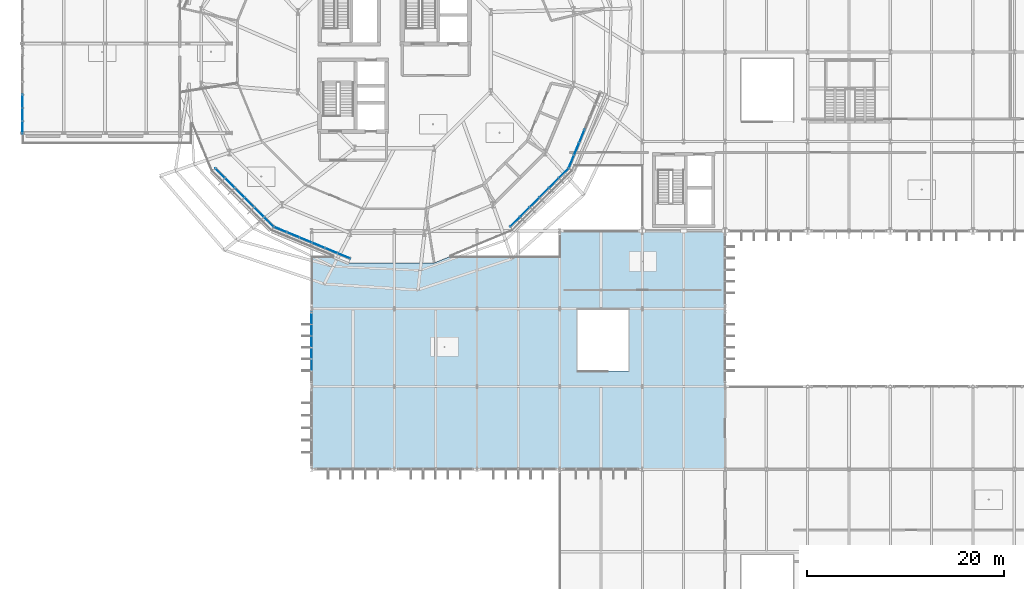
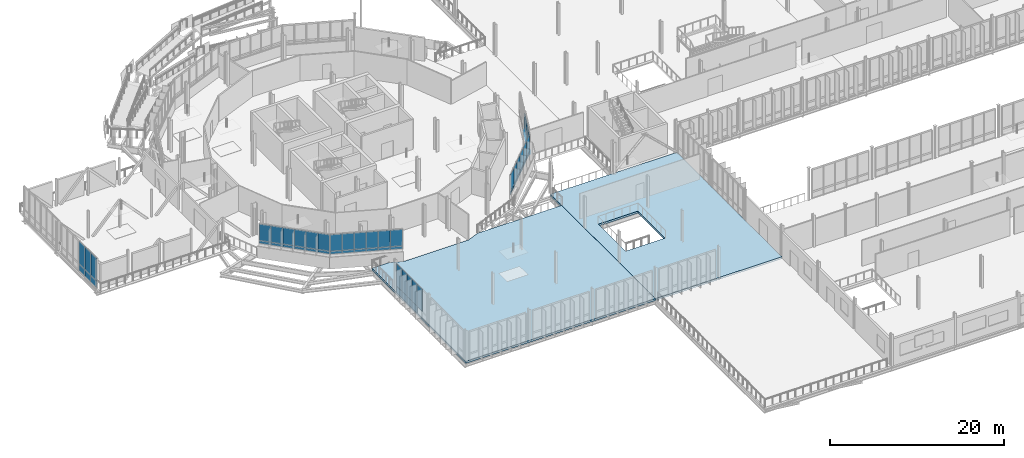
# One storey, part 86 of 139: 57 plates, 2 slabs, 6 elements without a shape of their own.
"""IFC4 building model written with IfcOpenShell, lengths in metres."""

from ifc_helpers import new_model, si_unit, derived_unit, direction, frame, origin, origin_2d, place, context, subcontext, project, spatial, polyline, rectangle, outline, extrude, material, layer, layer_set, type_object, element, aggregate, save


model = new_model("IFC4")

# Units and contexts
model_context = context("Model", 3, precision=1e-05, world=origin(), true_north=direction((0.0, 1.0)))
body_context = subcontext(model_context, "Body", "Model", "MODEL_VIEW")
ifc_project = project(units=[si_unit("LENGTHUNIT", "METRE"), si_unit("AREAUNIT", "SQUARE_METRE"), si_unit("VOLUMEUNIT", "CUBIC_METRE"), si_unit("PLANEANGLEUNIT", "RADIAN"), si_unit("MASSUNIT", "GRAM", prefix="KILO"), derived_unit("THERMALTRANSMITTANCEUNIT", [(si_unit("MASSUNIT", "GRAM", prefix="KILO"), 1), (si_unit("TIMEUNIT", "SECOND"), -3), (si_unit("THERMODYNAMICTEMPERATUREUNIT", "KELVIN"), -1)])], contexts=[model_context])

# Site, building, storey
site_placement = place(None, origin())
site = spatial("IfcSite", under=ifc_project, at=site_placement, CompositionType="ELEMENT")
building_placement = place(site_placement, origin())
building = spatial("IfcBuilding", under=site, at=building_placement, Name="Makaiwela Harbour Ferry Terminal", CompositionType="ELEMENT")
storey_placement = place(building_placement, frame((0.0, 0.0, 5.10009765625)))
storey = spatial("IfcBuildingStorey", under=building, at=storey_placement, Name="L01", CompositionType="ELEMENT", Elevation=5.10009765625)

# Curtain wall, plates
ifc_material_1 = material(Name="Marine anodised aluminium 6063-T6", Category="aluminium")
ifc_layer_1 = layer(ifc_material_1, 0.199951171875)
ifc_layer_set_1 = layer_set([ifc_layer_1], Name="Marine anodised aluminium 6063-T6")
curtain_wall_type_1 = type_object("IfcCurtainWallType", Name="ENV-CW-03", PredefinedType="USERDEFINED", material=ifc_layer_set_1)
curtain_wall_1_placement = place(storey_placement, origin())
curtain_wall_1 = element("IfcCurtainWall", 1, at=curtain_wall_1_placement, inside=storey, type_object=curtain_wall_type_1, Name="Unitised Curtain Wall CWA-016", ObjectType="UNITIZED CURTAIN WALL", PredefinedType="USERDEFINED")
ifc_material_2 = material(Name="Laminated hurricane-impact low-E insulated glazing", Category="glass")
ifc_layer_2 = layer(ifc_material_2, 0.031982421875)
ifc_layer_set_2 = layer_set([ifc_layer_2], Name="Laminated hurricane-impact low-E insulated glazing")
plate_type_1 = type_object("IfcPlateType", Name="CW-PNL-G05", PredefinedType="CURTAIN_PANEL", material=ifc_layer_set_2)
plate_1_placement = place(storey_placement, frame((20.1044921875, 55.265380859375, 1.89990234375), z_axis=(0.0, 0.0, 1.0), x_axis=(0.707106781187, -0.707106781187, 0.0)))
plate_1 = element("IfcPlate", 2, at=plate_1_placement, type_object=plate_type_1, Name="Glazed Vision Panel CWA-016-1G", PredefinedType="CURTAIN_PANEL", context=body_context, shape_type="SweptSolid", body=[
    extrude(rectangle(XDim=1.394775390625, YDim=0.031982421875, at=origin_2d()), origin(), (0.0, 0.0, 1.0), 2.340087890625),
])
plate_2_placement = place(storey_placement, frame((21.0908203125, 54.279296875, 1.89990234375), z_axis=(0.0, 0.0, 1.0), x_axis=(0.707106781187, -0.707106781187, 0.0)))
plate_2 = element("IfcPlate", 3, at=plate_2_placement, type_object=plate_type_1, Name="Glazed Vision Panel CWA-016-2G", PredefinedType="CURTAIN_PANEL", context=body_context, shape_type="SweptSolid", body=[
    extrude(rectangle(XDim=1.394775390625, YDim=0.031982421875, at=origin_2d()), origin(), (0.0, 0.0, 1.0), 2.340087890625),
])
plate_3_placement = place(storey_placement, frame((22.076904296875, 53.293212890625, 1.89990234375), z_axis=(0.0, 0.0, 1.0), x_axis=(0.707106781187, -0.707106781187, 0.0)))
plate_3 = element("IfcPlate", 4, at=plate_3_placement, type_object=plate_type_1, Name="Glazed Vision Panel CWA-016-3G", PredefinedType="CURTAIN_PANEL", context=body_context, shape_type="SweptSolid", body=[
    extrude(rectangle(XDim=1.394775390625, YDim=0.031982421875, at=origin_2d()), origin(), (0.0, 0.0, 1.0), 2.340087890625),
])
plate_4_placement = place(storey_placement, frame((23.06298828125, 52.306884765625, 1.89990234375), z_axis=(0.0, 0.0, 1.0), x_axis=(0.707106781187, -0.707106781187, 0.0)))
plate_4 = element("IfcPlate", 5, at=plate_4_placement, type_object=plate_type_1, Name="Glazed Vision Panel CWA-016-4G", PredefinedType="CURTAIN_PANEL", context=body_context, shape_type="SweptSolid", body=[
    extrude(rectangle(XDim=1.394775390625, YDim=0.031982421875, at=origin_2d()), origin(), (0.0, 0.0, 1.0), 2.340087890625),
])
plate_5_placement = place(storey_placement, frame((24.04931640625, 51.32080078125, 1.89990234375), z_axis=(0.0, 0.0, 1.0), x_axis=(0.707106781187, -0.707106781187, 0.0)))
plate_5 = element("IfcPlate", 6, at=plate_5_placement, type_object=plate_type_1, Name="Glazed Vision Panel CWA-016-5G", PredefinedType="CURTAIN_PANEL", context=body_context, shape_type="SweptSolid", body=[
    extrude(rectangle(XDim=1.394775390625, YDim=0.031982421875, at=origin_2d()), origin(), (0.0, 0.0, 1.0), 2.340087890625),
])
plate_6_placement = place(storey_placement, frame((25.035400390625, 50.334716796875, 1.89990234375), z_axis=(0.0, 0.0, 1.0), x_axis=(0.707106781187, -0.707106781187, 0.0)))
plate_6 = element("IfcPlate", 7, at=plate_6_placement, type_object=plate_type_1, Name="Glazed Vision Panel CWA-016-6G", PredefinedType="CURTAIN_PANEL", context=body_context, shape_type="SweptSolid", body=[
    extrude(rectangle(XDim=1.394775390625, YDim=0.031982421875, at=origin_2d()), origin(), (0.0, 0.0, 1.0), 2.340087890625),
])

curtain_wall_2_placement = place(storey_placement, origin())
curtain_wall_2 = element("IfcCurtainWall", 8, at=curtain_wall_2_placement, inside=storey, type_object=curtain_wall_type_1, Name="Unitised Curtain Wall CWA-017", ObjectType="UNITIZED CURTAIN WALL", PredefinedType="USERDEFINED")
plate_7_placement = place(storey_placement, frame((26.2216796875, 49.5419921875, 1.89990234375), z_axis=(0.0, 0.0, 1.0), x_axis=(0.923879532511, -0.382683432365, 0.0)))
plate_7 = element("IfcPlate", 9, at=plate_7_placement, type_object=plate_type_1, Name="Glazed Vision Panel CWA-017-1G", PredefinedType="CURTAIN_PANEL", context=body_context, shape_type="SweptSolid", body=[
    extrude(rectangle(XDim=1.39453125, YDim=0.031982421875, at=origin_2d()), origin(), (0.0, 0.0, 1.0), 2.340087890625),
])
plate_8_placement = place(storey_placement, frame((27.510009765625, 49.00830078125, 1.89990234375), z_axis=(0.0, 0.0, 1.0), x_axis=(0.923879532511, -0.382683432365, 0.0)))
plate_8 = element("IfcPlate", 10, at=plate_8_placement, type_object=plate_type_1, Name="Glazed Vision Panel CWA-017-2G", PredefinedType="CURTAIN_PANEL", context=body_context, shape_type="SweptSolid", body=[
    extrude(rectangle(XDim=1.39453125, YDim=0.031982421875, at=origin_2d()), origin(), (0.0, 0.0, 1.0), 2.340087890625),
])
plate_9_placement = place(storey_placement, frame((28.798583984375, 48.474609375, 1.89990234375), z_axis=(0.0, 0.0, 1.0), x_axis=(0.923879532511, -0.382683432365, 0.0)))
plate_9 = element("IfcPlate", 11, at=plate_9_placement, type_object=plate_type_1, Name="Glazed Vision Panel CWA-017-3G", PredefinedType="CURTAIN_PANEL", context=body_context, shape_type="SweptSolid", body=[
    extrude(rectangle(XDim=1.39453125, YDim=0.031982421875, at=origin_2d()), origin(), (0.0, 0.0, 1.0), 2.340087890625),
])
plate_10_placement = place(storey_placement, frame((30.087158203125, 47.94091796875, 1.89990234375), z_axis=(0.0, 0.0, 1.0), x_axis=(0.923879532511, -0.382683432365, 0.0)))
plate_10 = element("IfcPlate", 12, at=plate_10_placement, type_object=plate_type_1, Name="Glazed Vision Panel CWA-017-4G", PredefinedType="CURTAIN_PANEL", context=body_context, shape_type="SweptSolid", body=[
    extrude(rectangle(XDim=1.39453125, YDim=0.031982421875, at=origin_2d()), origin(), (0.0, 0.0, 1.0), 2.340087890625),
])
plate_11_placement = place(storey_placement, frame((31.37548828125, 47.406982421875, 1.89990234375), z_axis=(0.0, 0.0, 1.0), x_axis=(0.923879532511, -0.382683432365, 0.0)))
plate_11 = element("IfcPlate", 13, at=plate_11_placement, type_object=plate_type_1, Name="Glazed Vision Panel CWA-017-5G", PredefinedType="CURTAIN_PANEL", context=body_context, shape_type="SweptSolid", body=[
    extrude(rectangle(XDim=1.39453125, YDim=0.031982421875, at=origin_2d()), origin(), (0.0, 0.0, 1.0), 2.340087890625),
])
plate_12_placement = place(storey_placement, frame((32.6640625, 46.873291015625, 1.89990234375), z_axis=(0.0, 0.0, 1.0), x_axis=(0.923879532511, -0.382683432365, 0.0)))
plate_12 = element("IfcPlate", 14, at=plate_12_placement, type_object=plate_type_1, Name="Glazed Vision Panel CWA-017-6G", PredefinedType="CURTAIN_PANEL", context=body_context, shape_type="SweptSolid", body=[
    extrude(rectangle(XDim=1.39453125, YDim=0.031982421875, at=origin_2d()), origin(), (0.0, 0.0, 1.0), 2.340087890625),
])

curtain_wall_3_placement = place(storey_placement, origin())
curtain_wall_3 = element("IfcCurtainWall", 15, at=curtain_wall_3_placement, inside=storey, type_object=curtain_wall_type_1, Name="Unitised Curtain Wall CWA-018", ObjectType="UNITIZED CURTAIN WALL", PredefinedType="USERDEFINED")
plate_13_placement = place(storey_placement, frame((50.064697265625, 50.334716796875, 1.89990234375), z_axis=(0.0, 0.0, 1.0), x_axis=(0.707106781187, 0.707106781187, 0.0)))
plate_13 = element("IfcPlate", 16, at=plate_13_placement, type_object=plate_type_1, Name="Glazed Vision Panel CWA-018-1G", PredefinedType="CURTAIN_PANEL", context=body_context, shape_type="SweptSolid", body=[
    extrude(rectangle(XDim=1.394775390625, YDim=0.031982421875, at=origin_2d()), origin(), (0.0, 0.0, 1.0), 2.340087890625),
])
plate_14_placement = place(storey_placement, frame((51.05078125, 51.32080078125, 1.89990234375), z_axis=(0.0, 0.0, 1.0), x_axis=(0.707106781187, 0.707106781187, 0.0)))
plate_14 = element("IfcPlate", 17, at=plate_14_placement, type_object=plate_type_1, Name="Glazed Vision Panel CWA-018-2G", PredefinedType="CURTAIN_PANEL", context=body_context, shape_type="SweptSolid", body=[
    extrude(rectangle(XDim=1.394775390625, YDim=0.031982421875, at=origin_2d()), origin(), (0.0, 0.0, 1.0), 2.340087890625),
])
plate_15_placement = place(storey_placement, frame((52.036865234375, 52.306884765625, 1.89990234375), z_axis=(0.0, 0.0, 1.0), x_axis=(0.707106781187, 0.707106781187, 0.0)))
plate_15 = element("IfcPlate", 18, at=plate_15_placement, type_object=plate_type_1, Name="Glazed Vision Panel CWA-018-3G", PredefinedType="CURTAIN_PANEL", context=body_context, shape_type="SweptSolid", body=[
    extrude(rectangle(XDim=1.394775390625, YDim=0.031982421875, at=origin_2d()), origin(), (0.0, 0.0, 1.0), 2.340087890625),
])
plate_16_placement = place(storey_placement, frame((53.023193359375, 53.293212890625, 1.89990234375), z_axis=(0.0, 0.0, 1.0), x_axis=(0.707106781187, 0.707106781187, 0.0)))
plate_16 = element("IfcPlate", 19, at=plate_16_placement, type_object=plate_type_1, Name="Glazed Vision Panel CWA-018-4G", PredefinedType="CURTAIN_PANEL", context=body_context, shape_type="SweptSolid", body=[
    extrude(rectangle(XDim=1.394775390625, YDim=0.031982421875, at=origin_2d()), origin(), (0.0, 0.0, 1.0), 2.340087890625),
])
plate_17_placement = place(storey_placement, frame((54.00927734375, 54.279296875, 1.89990234375), z_axis=(0.0, 0.0, 1.0), x_axis=(0.707106781187, 0.707106781187, 0.0)))
plate_17 = element("IfcPlate", 20, at=plate_17_placement, type_object=plate_type_1, Name="Glazed Vision Panel CWA-018-5G", PredefinedType="CURTAIN_PANEL", context=body_context, shape_type="SweptSolid", body=[
    extrude(rectangle(XDim=1.394775390625, YDim=0.031982421875, at=origin_2d()), origin(), (0.0, 0.0, 1.0), 2.340087890625),
])
plate_18_placement = place(storey_placement, frame((54.995361328125, 55.265380859375, 1.89990234375), z_axis=(0.0, 0.0, 1.0), x_axis=(0.707106781187, 0.707106781187, 0.0)))
plate_18 = element("IfcPlate", 21, at=plate_18_placement, type_object=plate_type_1, Name="Glazed Vision Panel CWA-018-6G", PredefinedType="CURTAIN_PANEL", context=body_context, shape_type="SweptSolid", body=[
    extrude(rectangle(XDim=1.394775390625, YDim=0.031982421875, at=origin_2d()), origin(), (0.0, 0.0, 1.0), 2.340087890625),
])

curtain_wall_4_placement = place(storey_placement, origin())
curtain_wall_4 = element("IfcCurtainWall", 22, at=curtain_wall_4_placement, inside=storey, type_object=curtain_wall_type_1, Name="Unitised Curtain Wall CWA-019", ObjectType="UNITIZED CURTAIN WALL", PredefinedType="USERDEFINED")
plate_19_placement = place(storey_placement, frame((55.7880859375, 56.45166015625, 1.89990234375), z_axis=(0.0, 0.0, 1.0), x_axis=(0.382683432365, 0.923879532511, 0.0)))
plate_19 = element("IfcPlate", 23, at=plate_19_placement, type_object=plate_type_1, Name="Glazed Vision Panel CWA-019-1G", PredefinedType="CURTAIN_PANEL", context=body_context, shape_type="SweptSolid", body=[
    extrude(rectangle(XDim=1.39453125, YDim=0.031982421875, at=origin_2d()), origin(), (0.0, 0.0, 1.0), 2.340087890625),
])
plate_20_placement = place(storey_placement, frame((56.32177734375, 57.739990234375, 1.89990234375), z_axis=(0.0, 0.0, 1.0), x_axis=(0.382683432365, 0.923879532511, 0.0)))
plate_20 = element("IfcPlate", 24, at=plate_20_placement, type_object=plate_type_1, Name="Glazed Vision Panel CWA-019-2G", PredefinedType="CURTAIN_PANEL", context=body_context, shape_type="SweptSolid", body=[
    extrude(rectangle(XDim=1.39453125, YDim=0.031982421875, at=origin_2d()), origin(), (0.0, 0.0, 1.0), 2.340087890625),
])
plate_21_placement = place(storey_placement, frame((56.85546875, 59.028564453125, 1.89990234375), z_axis=(0.0, 0.0, 1.0), x_axis=(0.382683432365, 0.923879532511, 0.0)))
plate_21 = element("IfcPlate", 25, at=plate_21_placement, type_object=plate_type_1, Name="Glazed Vision Panel CWA-019-3G", PredefinedType="CURTAIN_PANEL", context=body_context, shape_type="SweptSolid", body=[
    extrude(rectangle(XDim=1.39453125, YDim=0.031982421875, at=origin_2d()), origin(), (0.0, 0.0, 1.0), 2.340087890625),
])

ifc_layer_3 = layer(ifc_material_1, 0.199951171875)
ifc_layer_set_3 = layer_set([ifc_layer_3], Name="Marine anodised aluminium 6063-T6")
curtain_wall_type_2 = type_object("IfcCurtainWallType", Name="ENV-CW-13", PredefinedType="USERDEFINED", material=ifc_layer_set_3)
curtain_wall_5_placement = place(storey_placement, origin())
curtain_wall_5 = element("IfcCurtainWall", 26, at=curtain_wall_5_placement, inside=storey, type_object=curtain_wall_type_2, Name="Unitised Curtain Wall CWA-118", ObjectType="UNITIZED CURTAIN WALL", PredefinedType="USERDEFINED")
ifc_layer_4 = layer(ifc_material_2, 0.031982421875)
ifc_layer_set_4 = layer_set([ifc_layer_4], Name="Laminated hurricane-impact low-E insulated glazing")
plate_type_2 = type_object("IfcPlateType", Name="CW-PNL-G18", PredefinedType="CURTAIN_PANEL", material=ifc_layer_set_4)
plate_22_placement = place(storey_placement, frame((29.39990234375, 35.784912109375, 0.949951171875), z_axis=(0.0, 0.0, 1.0), x_axis=(0.0, 1.0, 0.0)))
plate_22 = element("IfcPlate", 27, at=plate_22_placement, type_object=plate_type_2, Name="Glazed Vision Panel CWA-118-2G", PredefinedType="CURTAIN_PANEL", context=body_context, shape_type="SweptSolid", body=[
    extrude(rectangle(XDim=1.1767578125, YDim=0.031982421875, at=origin_2d()), origin(), (0.0, 0.0, 1.0), 3.14990234375),
])
plate_23_placement = place(storey_placement, frame((29.39990234375, 36.961669921875, 0.949951171875), z_axis=(0.0, 0.0, 1.0), x_axis=(0.0, 1.0, 0.0)))
plate_23 = element("IfcPlate", 28, at=plate_23_placement, type_object=plate_type_2, Name="Glazed Vision Panel CWA-118-3G", PredefinedType="CURTAIN_PANEL", context=body_context, shape_type="SweptSolid", body=[
    extrude(rectangle(XDim=1.1767578125, YDim=0.031982421875, at=origin_2d()), origin(), (0.0, 0.0, 1.0), 3.14990234375),
])
plate_24_placement = place(storey_placement, frame((29.39990234375, 38.13818359375, 0.949951171875), z_axis=(0.0, 0.0, 1.0), x_axis=(0.0, 1.0, 0.0)))
plate_24 = element("IfcPlate", 29, at=plate_24_placement, type_object=plate_type_2, Name="Glazed Vision Panel CWA-118-4G", PredefinedType="CURTAIN_PANEL", context=body_context, shape_type="SweptSolid", body=[
    extrude(rectangle(XDim=1.1767578125, YDim=0.031982421875, at=origin_2d()), origin(), (0.0, 0.0, 1.0), 3.14990234375),
])
plate_25_placement = place(storey_placement, frame((29.39990234375, 39.31494140625, 0.949951171875), z_axis=(0.0, 0.0, 1.0), x_axis=(0.0, 1.0, 0.0)))
plate_25 = element("IfcPlate", 30, at=plate_25_placement, type_object=plate_type_2, Name="Glazed Vision Panel CWA-118-5G", PredefinedType="CURTAIN_PANEL", context=body_context, shape_type="SweptSolid", body=[
    extrude(rectangle(XDim=1.1767578125, YDim=0.031982421875, at=origin_2d()), origin(), (0.0, 0.0, 1.0), 3.14990234375),
])
plate_26_placement = place(storey_placement, frame((29.39990234375, 40.49169921875, 0.949951171875), z_axis=(0.0, 0.0, 1.0), x_axis=(0.0, 1.0, 0.0)))
plate_26 = element("IfcPlate", 31, at=plate_26_placement, type_object=plate_type_2, Name="Glazed Vision Panel CWA-118-6G", PredefinedType="CURTAIN_PANEL", context=body_context, shape_type="SweptSolid", body=[
    extrude(rectangle(XDim=1.1767578125, YDim=0.031982421875, at=origin_2d()), origin(), (0.0, 0.0, 1.0), 3.14990234375),
])

ifc_layer_5 = layer(ifc_material_1, 0.199951171875)
ifc_layer_set_5 = layer_set([ifc_layer_5], Name="Marine anodised aluminium 6063-T6")
curtain_wall_type_3 = type_object("IfcCurtainWallType", Name="ENV-CW-22", PredefinedType="USERDEFINED", material=ifc_layer_set_5)
curtain_wall_6_placement = place(storey_placement, origin())
curtain_wall_6 = element("IfcCurtainWall", 32, at=curtain_wall_6_placement, inside=storey, type_object=curtain_wall_type_3, Name="Unitised Curtain Wall CWA-136", ObjectType="UNITIZED CURTAIN WALL", PredefinedType="USERDEFINED")
ifc_layer_6 = layer(ifc_material_2, 0.031982421875)
ifc_layer_set_6 = layer_set([ifc_layer_6], Name="Laminated hurricane-impact low-E insulated glazing")
plate_type_3 = type_object("IfcPlateType", Name="CW-PNL-G28", PredefinedType="CURTAIN_PANEL", material=ifc_layer_set_6)
plate_27_placement = place(storey_placement, frame((0.0, 59.8974609375, 0.94970703125), z_axis=(0.0, 0.0, 1.0), x_axis=(0.0, 1.0, 0.0)))
plate_27 = element("IfcPlate", 33, at=plate_27_placement, type_object=plate_type_3, Name="Glazed Vision Panel CWA-136-1G", PredefinedType="CURTAIN_PANEL", context=body_context, shape_type="SweptSolid", body=[
    extrude(rectangle(XDim=1.3349609375, YDim=0.031982421875, at=origin_2d()), origin(), (0.0, 0.0, 1.0), 3.199951171875),
])
plate_28_placement = place(storey_placement, frame((0.0, 61.232421875, 0.94970703125), z_axis=(0.0, 0.0, 1.0), x_axis=(0.0, 1.0, 0.0)))
plate_28 = element("IfcPlate", 34, at=plate_28_placement, type_object=plate_type_3, Name="Glazed Vision Panel CWA-136-2G", PredefinedType="CURTAIN_PANEL", context=body_context, shape_type="SweptSolid", body=[
    extrude(rectangle(XDim=1.3349609375, YDim=0.031982421875, at=origin_2d()), origin(), (0.0, 0.0, 1.0), 3.199951171875),
])
plate_29_placement = place(storey_placement, frame((0.0, 62.5673828125, 0.94970703125), z_axis=(0.0, 0.0, 1.0), x_axis=(0.0, 1.0, 0.0)))
plate_29 = element("IfcPlate", 35, at=plate_29_placement, type_object=plate_type_3, Name="Glazed Vision Panel CWA-136-3G", PredefinedType="CURTAIN_PANEL", context=body_context, shape_type="SweptSolid", body=[
    extrude(rectangle(XDim=1.3349609375, YDim=0.031982421875, at=origin_2d()), origin(), (0.0, 0.0, 1.0), 3.199951171875),
])

# Plate
ifc_material_3 = material(Name="Insulated marine aluminium spandrel panel", Category="aluminium")
ifc_layer_7 = layer(ifc_material_3, 0.048095703125)
ifc_layer_set_7 = layer_set([ifc_layer_7], Name="Insulated marine aluminium spandrel panel")
plate_type_4 = type_object("IfcPlateType", Name="CW-PNL-S04", PredefinedType="CURTAIN_PANEL", material=ifc_layer_set_7)
plate_30_placement = place(storey_placement, frame((20.1044921875, 55.265380859375, 1.47998046875), z_axis=(0.0, 0.0, 1.0), x_axis=(0.707106781187, -0.707106781187, 0.0)))
plate_30 = element("IfcPlate", 36, at=plate_30_placement, type_object=plate_type_4, Name="Spandrel Panel CWA-016-1S", PredefinedType="CURTAIN_PANEL", context=body_context, shape_type="SweptSolid", body=[
    extrude(rectangle(XDim=1.394775390625, YDim=0.048095703125, at=origin_2d()), origin(), (0.0, 0.0, 1.0), 0.419921875),
])

plate_31_placement = place(storey_placement, frame((21.0908203125, 54.279296875, 1.47998046875), z_axis=(0.0, 0.0, 1.0), x_axis=(0.707106781187, -0.707106781187, 0.0)))
plate_31 = element("IfcPlate", 37, at=plate_31_placement, type_object=plate_type_4, Name="Spandrel Panel CWA-016-2S", PredefinedType="CURTAIN_PANEL", context=body_context, shape_type="SweptSolid", body=[
    extrude(rectangle(XDim=1.394775390625, YDim=0.048095703125, at=origin_2d()), origin(), (0.0, 0.0, 1.0), 0.419921875),
])

plate_32_placement = place(storey_placement, frame((22.076904296875, 53.293212890625, 1.47998046875), z_axis=(0.0, 0.0, 1.0), x_axis=(0.707106781187, -0.707106781187, 0.0)))
plate_32 = element("IfcPlate", 38, at=plate_32_placement, type_object=plate_type_4, Name="Spandrel Panel CWA-016-3S", PredefinedType="CURTAIN_PANEL", context=body_context, shape_type="SweptSolid", body=[
    extrude(rectangle(XDim=1.394775390625, YDim=0.048095703125, at=origin_2d()), origin(), (0.0, 0.0, 1.0), 0.419921875),
])

plate_33_placement = place(storey_placement, frame((23.06298828125, 52.306884765625, 1.47998046875), z_axis=(0.0, 0.0, 1.0), x_axis=(0.707106781187, -0.707106781187, 0.0)))
plate_33 = element("IfcPlate", 39, at=plate_33_placement, type_object=plate_type_4, Name="Spandrel Panel CWA-016-4S", PredefinedType="CURTAIN_PANEL", context=body_context, shape_type="SweptSolid", body=[
    extrude(rectangle(XDim=1.394775390625, YDim=0.048095703125, at=origin_2d()), origin(), (0.0, 0.0, 1.0), 0.419921875),
])

plate_34_placement = place(storey_placement, frame((24.04931640625, 51.32080078125, 1.47998046875), z_axis=(0.0, 0.0, 1.0), x_axis=(0.707106781187, -0.707106781187, 0.0)))
plate_34 = element("IfcPlate", 40, at=plate_34_placement, type_object=plate_type_4, Name="Spandrel Panel CWA-016-5S", PredefinedType="CURTAIN_PANEL", context=body_context, shape_type="SweptSolid", body=[
    extrude(rectangle(XDim=1.394775390625, YDim=0.048095703125, at=origin_2d()), origin(), (0.0, 0.0, 1.0), 0.419921875),
])

plate_35_placement = place(storey_placement, frame((25.035400390625, 50.334716796875, 1.47998046875), z_axis=(0.0, 0.0, 1.0), x_axis=(0.707106781187, -0.707106781187, 0.0)))
plate_35 = element("IfcPlate", 41, at=plate_35_placement, type_object=plate_type_4, Name="Spandrel Panel CWA-016-6S", PredefinedType="CURTAIN_PANEL", context=body_context, shape_type="SweptSolid", body=[
    extrude(rectangle(XDim=1.394775390625, YDim=0.048095703125, at=origin_2d()), origin(), (0.0, 0.0, 1.0), 0.419921875),
])

aggregate(curtain_wall_1, [plate_30, plate_1, plate_31, plate_2, plate_32, plate_3, plate_33, plate_4, plate_34, plate_5, plate_35, plate_6])

plate_36_placement = place(storey_placement, frame((26.2216796875, 49.5419921875, 1.47998046875), z_axis=(0.0, 0.0, 1.0), x_axis=(0.923879532511, -0.382683432365, 0.0)))
plate_36 = element("IfcPlate", 42, at=plate_36_placement, type_object=plate_type_4, Name="Spandrel Panel CWA-017-1S", PredefinedType="CURTAIN_PANEL", context=body_context, shape_type="SweptSolid", body=[
    extrude(rectangle(XDim=1.39453125, YDim=0.048095703125, at=origin_2d()), origin(), (0.0, 0.0, 1.0), 0.419921875),
])

plate_37_placement = place(storey_placement, frame((27.510009765625, 49.00830078125, 1.47998046875), z_axis=(0.0, 0.0, 1.0), x_axis=(0.923879532511, -0.382683432365, 0.0)))
plate_37 = element("IfcPlate", 43, at=plate_37_placement, type_object=plate_type_4, Name="Spandrel Panel CWA-017-2S", PredefinedType="CURTAIN_PANEL", context=body_context, shape_type="SweptSolid", body=[
    extrude(rectangle(XDim=1.39453125, YDim=0.048095703125, at=origin_2d()), origin(), (0.0, 0.0, 1.0), 0.419921875),
])

plate_38_placement = place(storey_placement, frame((28.798583984375, 48.474609375, 1.47998046875), z_axis=(0.0, 0.0, 1.0), x_axis=(0.923879532511, -0.382683432365, 0.0)))
plate_38 = element("IfcPlate", 44, at=plate_38_placement, type_object=plate_type_4, Name="Spandrel Panel CWA-017-3S", PredefinedType="CURTAIN_PANEL", context=body_context, shape_type="SweptSolid", body=[
    extrude(rectangle(XDim=1.39453125, YDim=0.048095703125, at=origin_2d()), origin(), (0.0, 0.0, 1.0), 0.419921875),
])

plate_39_placement = place(storey_placement, frame((30.087158203125, 47.94091796875, 1.47998046875), z_axis=(0.0, 0.0, 1.0), x_axis=(0.923879532511, -0.382683432365, 0.0)))
plate_39 = element("IfcPlate", 45, at=plate_39_placement, type_object=plate_type_4, Name="Spandrel Panel CWA-017-4S", PredefinedType="CURTAIN_PANEL", context=body_context, shape_type="SweptSolid", body=[
    extrude(rectangle(XDim=1.39453125, YDim=0.048095703125, at=origin_2d()), origin(), (0.0, 0.0, 1.0), 0.419921875),
])

plate_40_placement = place(storey_placement, frame((31.37548828125, 47.406982421875, 1.47998046875), z_axis=(0.0, 0.0, 1.0), x_axis=(0.923879532511, -0.382683432365, 0.0)))
plate_40 = element("IfcPlate", 46, at=plate_40_placement, type_object=plate_type_4, Name="Spandrel Panel CWA-017-5S", PredefinedType="CURTAIN_PANEL", context=body_context, shape_type="SweptSolid", body=[
    extrude(rectangle(XDim=1.39453125, YDim=0.048095703125, at=origin_2d()), origin(), (0.0, 0.0, 1.0), 0.419921875),
])

plate_41_placement = place(storey_placement, frame((32.6640625, 46.873291015625, 1.47998046875), z_axis=(0.0, 0.0, 1.0), x_axis=(0.923879532511, -0.382683432365, 0.0)))
plate_41 = element("IfcPlate", 47, at=plate_41_placement, type_object=plate_type_4, Name="Spandrel Panel CWA-017-6S", PredefinedType="CURTAIN_PANEL", context=body_context, shape_type="SweptSolid", body=[
    extrude(rectangle(XDim=1.39453125, YDim=0.048095703125, at=origin_2d()), origin(), (0.0, 0.0, 1.0), 0.419921875),
])

aggregate(curtain_wall_2, [plate_36, plate_7, plate_37, plate_8, plate_38, plate_9, plate_39, plate_10, plate_40, plate_11, plate_41, plate_12])

plate_42_placement = place(storey_placement, frame((50.064697265625, 50.334716796875, 1.47998046875), z_axis=(0.0, 0.0, 1.0), x_axis=(0.707106781187, 0.707106781187, 0.0)))
plate_42 = element("IfcPlate", 48, at=plate_42_placement, type_object=plate_type_4, Name="Spandrel Panel CWA-018-1S", PredefinedType="CURTAIN_PANEL", context=body_context, shape_type="SweptSolid", body=[
    extrude(rectangle(XDim=1.394775390625, YDim=0.048095703125, at=origin_2d()), origin(), (0.0, 0.0, 1.0), 0.419921875),
])

plate_43_placement = place(storey_placement, frame((51.05078125, 51.32080078125, 1.47998046875), z_axis=(0.0, 0.0, 1.0), x_axis=(0.707106781187, 0.707106781187, 0.0)))
plate_43 = element("IfcPlate", 49, at=plate_43_placement, type_object=plate_type_4, Name="Spandrel Panel CWA-018-2S", PredefinedType="CURTAIN_PANEL", context=body_context, shape_type="SweptSolid", body=[
    extrude(rectangle(XDim=1.394775390625, YDim=0.048095703125, at=origin_2d()), origin(), (0.0, 0.0, 1.0), 0.419921875),
])

plate_44_placement = place(storey_placement, frame((52.036865234375, 52.306884765625, 1.47998046875), z_axis=(0.0, 0.0, 1.0), x_axis=(0.707106781187, 0.707106781187, 0.0)))
plate_44 = element("IfcPlate", 50, at=plate_44_placement, type_object=plate_type_4, Name="Spandrel Panel CWA-018-3S", PredefinedType="CURTAIN_PANEL", context=body_context, shape_type="SweptSolid", body=[
    extrude(rectangle(XDim=1.394775390625, YDim=0.048095703125, at=origin_2d()), origin(), (0.0, 0.0, 1.0), 0.419921875),
])

plate_45_placement = place(storey_placement, frame((53.023193359375, 53.293212890625, 1.47998046875), z_axis=(0.0, 0.0, 1.0), x_axis=(0.707106781187, 0.707106781187, 0.0)))
plate_45 = element("IfcPlate", 51, at=plate_45_placement, type_object=plate_type_4, Name="Spandrel Panel CWA-018-4S", PredefinedType="CURTAIN_PANEL", context=body_context, shape_type="SweptSolid", body=[
    extrude(rectangle(XDim=1.394775390625, YDim=0.048095703125, at=origin_2d()), origin(), (0.0, 0.0, 1.0), 0.419921875),
])

plate_46_placement = place(storey_placement, frame((54.00927734375, 54.279296875, 1.47998046875), z_axis=(0.0, 0.0, 1.0), x_axis=(0.707106781187, 0.707106781187, 0.0)))
plate_46 = element("IfcPlate", 52, at=plate_46_placement, type_object=plate_type_4, Name="Spandrel Panel CWA-018-5S", PredefinedType="CURTAIN_PANEL", context=body_context, shape_type="SweptSolid", body=[
    extrude(rectangle(XDim=1.394775390625, YDim=0.048095703125, at=origin_2d()), origin(), (0.0, 0.0, 1.0), 0.419921875),
])

plate_47_placement = place(storey_placement, frame((54.995361328125, 55.265380859375, 1.47998046875), z_axis=(0.0, 0.0, 1.0), x_axis=(0.707106781187, 0.707106781187, 0.0)))
plate_47 = element("IfcPlate", 53, at=plate_47_placement, type_object=plate_type_4, Name="Spandrel Panel CWA-018-6S", PredefinedType="CURTAIN_PANEL", context=body_context, shape_type="SweptSolid", body=[
    extrude(rectangle(XDim=1.394775390625, YDim=0.048095703125, at=origin_2d()), origin(), (0.0, 0.0, 1.0), 0.419921875),
])

aggregate(curtain_wall_3, [plate_42, plate_13, plate_43, plate_14, plate_44, plate_15, plate_45, plate_16, plate_46, plate_17, plate_47, plate_18])

plate_48_placement = place(storey_placement, frame((55.7880859375, 56.45166015625, 1.47998046875), z_axis=(0.0, 0.0, 1.0), x_axis=(0.382683432365, 0.923879532511, 0.0)))
plate_48 = element("IfcPlate", 54, at=plate_48_placement, type_object=plate_type_4, Name="Spandrel Panel CWA-019-1S", PredefinedType="CURTAIN_PANEL", context=body_context, shape_type="SweptSolid", body=[
    extrude(rectangle(XDim=1.39453125, YDim=0.048095703125, at=origin_2d()), origin(), (0.0, 0.0, 1.0), 0.419921875),
])

plate_49_placement = place(storey_placement, frame((56.32177734375, 57.739990234375, 1.47998046875), z_axis=(0.0, 0.0, 1.0), x_axis=(0.382683432365, 0.923879532511, 0.0)))
plate_49 = element("IfcPlate", 55, at=plate_49_placement, type_object=plate_type_4, Name="Spandrel Panel CWA-019-2S", PredefinedType="CURTAIN_PANEL", context=body_context, shape_type="SweptSolid", body=[
    extrude(rectangle(XDim=1.39453125, YDim=0.048095703125, at=origin_2d()), origin(), (0.0, 0.0, 1.0), 0.419921875),
])

plate_50_placement = place(storey_placement, frame((56.85546875, 59.028564453125, 1.47998046875), z_axis=(0.0, 0.0, 1.0), x_axis=(0.382683432365, 0.923879532511, 0.0)))
plate_50 = element("IfcPlate", 56, at=plate_50_placement, type_object=plate_type_4, Name="Spandrel Panel CWA-019-3S", PredefinedType="CURTAIN_PANEL", context=body_context, shape_type="SweptSolid", body=[
    extrude(rectangle(XDim=1.39453125, YDim=0.048095703125, at=origin_2d()), origin(), (0.0, 0.0, 1.0), 0.419921875),
])

aggregate(curtain_wall_4, [plate_48, plate_19, plate_49, plate_20, plate_50, plate_21])

ifc_layer_8 = layer(ifc_material_3, 0.048095703125)
ifc_layer_set_8 = layer_set([ifc_layer_8], Name="Insulated marine aluminium spandrel panel")
plate_type_5 = type_object("IfcPlateType", Name="CW-PNL-S16", PredefinedType="CURTAIN_PANEL", material=ifc_layer_set_8)
plate_51_placement = place(storey_placement, frame((29.39990234375, 36.961669921875, 0.0), z_axis=(0.0, 0.0, 1.0), x_axis=(0.0, 1.0, 0.0)))
plate_51 = element("IfcPlate", 57, at=plate_51_placement, type_object=plate_type_5, Name="Spandrel Panel CWA-118-3S", PredefinedType="CURTAIN_PANEL", context=body_context, shape_type="SweptSolid", body=[
    extrude(rectangle(XDim=1.1767578125, YDim=0.048095703125, at=origin_2d()), origin(), (0.0, 0.0, 1.0), 0.949951171875),
])

plate_52_placement = place(storey_placement, frame((29.39990234375, 38.13818359375, 0.0), z_axis=(0.0, 0.0, 1.0), x_axis=(0.0, 1.0, 0.0)))
plate_52 = element("IfcPlate", 58, at=plate_52_placement, type_object=plate_type_5, Name="Spandrel Panel CWA-118-4S", PredefinedType="CURTAIN_PANEL", context=body_context, shape_type="SweptSolid", body=[
    extrude(rectangle(XDim=1.1767578125, YDim=0.048095703125, at=origin_2d()), origin(), (0.0, 0.0, 1.0), 0.949951171875),
])

plate_53_placement = place(storey_placement, frame((29.39990234375, 39.31494140625, 0.0), z_axis=(0.0, 0.0, 1.0), x_axis=(0.0, 1.0, 0.0)))
plate_53 = element("IfcPlate", 59, at=plate_53_placement, type_object=plate_type_5, Name="Spandrel Panel CWA-118-5S", PredefinedType="CURTAIN_PANEL", context=body_context, shape_type="SweptSolid", body=[
    extrude(rectangle(XDim=1.1767578125, YDim=0.048095703125, at=origin_2d()), origin(), (0.0, 0.0, 1.0), 0.949951171875),
])

plate_54_placement = place(storey_placement, frame((29.39990234375, 40.49169921875, 0.0), z_axis=(0.0, 0.0, 1.0), x_axis=(0.0, 1.0, 0.0)))
plate_54 = element("IfcPlate", 60, at=plate_54_placement, type_object=plate_type_5, Name="Spandrel Panel CWA-118-6S", PredefinedType="CURTAIN_PANEL", context=body_context, shape_type="SweptSolid", body=[
    extrude(rectangle(XDim=1.1767578125, YDim=0.048095703125, at=origin_2d()), origin(), (0.0, 0.0, 1.0), 0.949951171875),
])

aggregate(curtain_wall_5, [plate_22, plate_51, plate_23, plate_52, plate_24, plate_53, plate_25, plate_54, plate_26])

ifc_layer_9 = layer(ifc_material_3, 0.048095703125)
ifc_layer_set_9 = layer_set([ifc_layer_9], Name="Insulated marine aluminium spandrel panel")
plate_type_6 = type_object("IfcPlateType", Name="CW-PNL-S27", PredefinedType="CURTAIN_PANEL", material=ifc_layer_set_9)
plate_55_placement = place(storey_placement, frame((0.0, 59.8974609375, 0.0), z_axis=(0.0, 0.0, 1.0), x_axis=(0.0, 1.0, 0.0)))
plate_55 = element("IfcPlate", 61, at=plate_55_placement, type_object=plate_type_6, Name="Spandrel Panel CWA-136-1S", PredefinedType="CURTAIN_PANEL", context=body_context, shape_type="SweptSolid", body=[
    extrude(rectangle(XDim=1.3349609375, YDim=0.048095703125, at=origin_2d()), origin(), (0.0, 0.0, 1.0), 0.949951171875),
])

plate_56_placement = place(storey_placement, frame((0.0, 61.232421875, 0.0), z_axis=(0.0, 0.0, 1.0), x_axis=(0.0, 1.0, 0.0)))
plate_56 = element("IfcPlate", 62, at=plate_56_placement, type_object=plate_type_6, Name="Spandrel Panel CWA-136-2S", PredefinedType="CURTAIN_PANEL", context=body_context, shape_type="SweptSolid", body=[
    extrude(rectangle(XDim=1.3349609375, YDim=0.048095703125, at=origin_2d()), origin(), (0.0, 0.0, 1.0), 0.949951171875),
])

plate_57_placement = place(storey_placement, frame((0.0, 62.5673828125, 0.0), z_axis=(0.0, 0.0, 1.0), x_axis=(0.0, 1.0, 0.0)))
plate_57 = element("IfcPlate", 63, at=plate_57_placement, type_object=plate_type_6, Name="Spandrel Panel CWA-136-3S", PredefinedType="CURTAIN_PANEL", context=body_context, shape_type="SweptSolid", body=[
    extrude(rectangle(XDim=1.3349609375, YDim=0.048095703125, at=origin_2d()), origin(), (0.0, 0.0, 1.0), 0.949951171875),
])

aggregate(curtain_wall_6, [plate_55, plate_27, plate_56, plate_28, plate_57, plate_29])

# Slabs
ifc_material_4 = material(Name="Concrete f'c 35 MPa (5000 psi)", Category="concrete")
ifc_layer_10 = layer(ifc_material_4, 0.280029296875)
ifc_layer_set_10 = layer_set([ifc_layer_10], Name="Concrete f'c 35 MPa (5000 psi)")
slab_type = type_object("IfcSlabType", Name="SLB-FLR-280", PredefinedType="FLOOR", material=ifc_layer_set_10)
slab_1_placement = place(storey_placement, frame((0.0, 0.0, -0.280029296875)))
element("IfcSlab", 64, at=slab_1_placement, inside=storey, type_object=slab_type, Name="Slab SLB-014", PredefinedType="FLOOR", context=body_context, shape_type="SweptSolid", body=[
    extrude(outline(polyline([(43.417236328125, 46.800048828125), (41.851806640625, 46.151611328125), (33.24755859375, 46.15185546875), (31.682861328125, 46.800048828125), (29.39990234375, 46.800048828125), (29.39990234375, 25.199951171875), (54.60009765625, 25.199951171875), (54.60009765625, 46.800048828125), (43.417236328125, 46.800048828125)])), origin(), (0.0, 0.0, 1.0), 0.280029296875),
])
slab_2_placement = place(storey_placement, frame((0.0, 0.0, -0.280029296875)))
element("IfcSlab", 65, at=slab_2_placement, inside=storey, type_object=slab_type, Name="Slab SLB-015", PredefinedType="FLOOR", context=body_context, shape_type="SweptSolid", body=[
    extrude(outline(polyline([(54.60205078125, 46.800048828125), (54.60205078125, 25.199951171875), (71.39990234375, 25.199951171875), (71.39990234375, 49.39990234375), (54.60009765625, 49.39990234375), (54.60205078125, 46.800048828125)]), holes=[polyline([(56.3798828125, 35.169921875), (56.3798828125, 41.419921875), (61.6201171875, 41.419921875), (61.6201171875, 35.169921875), (56.3798828125, 35.169921875)])]), origin(), (0.0, 0.0, 1.0), 0.280029296875),
])

save(model, "model.ifc")
